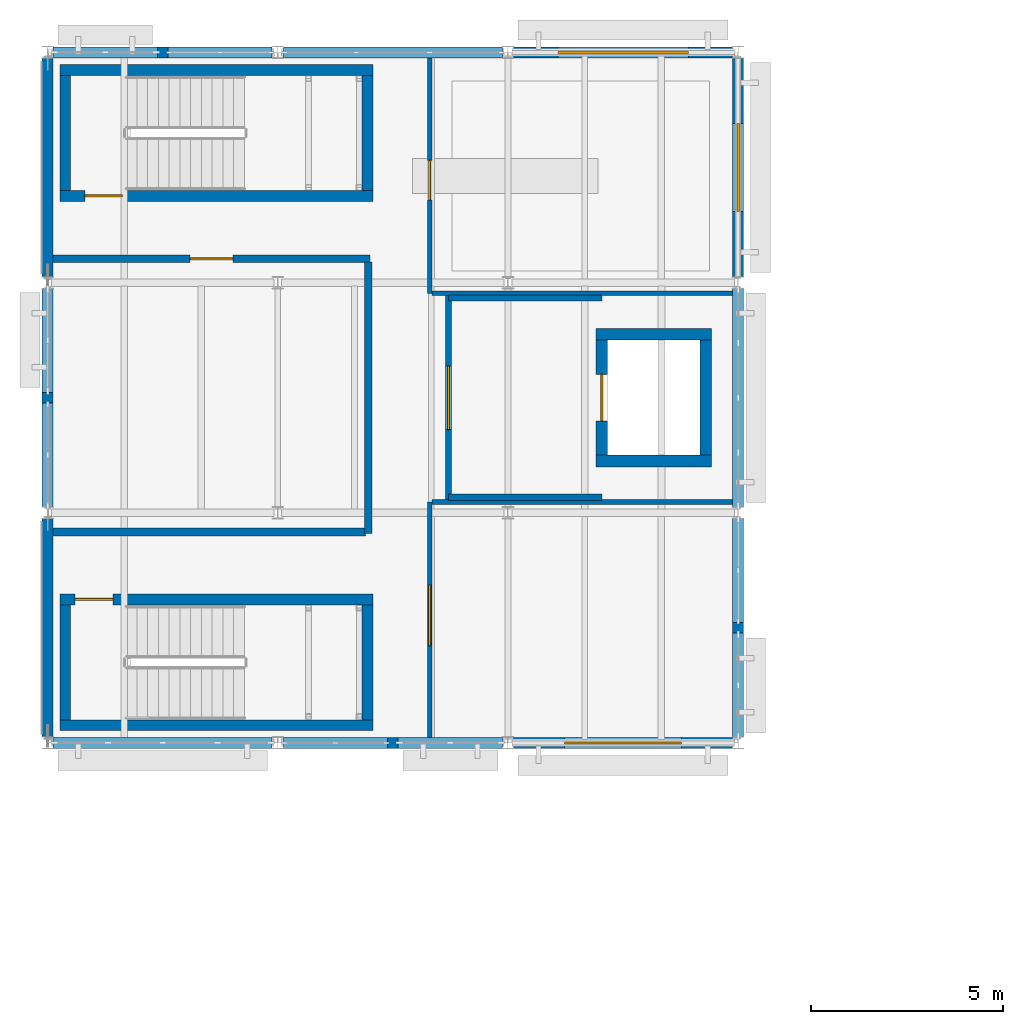
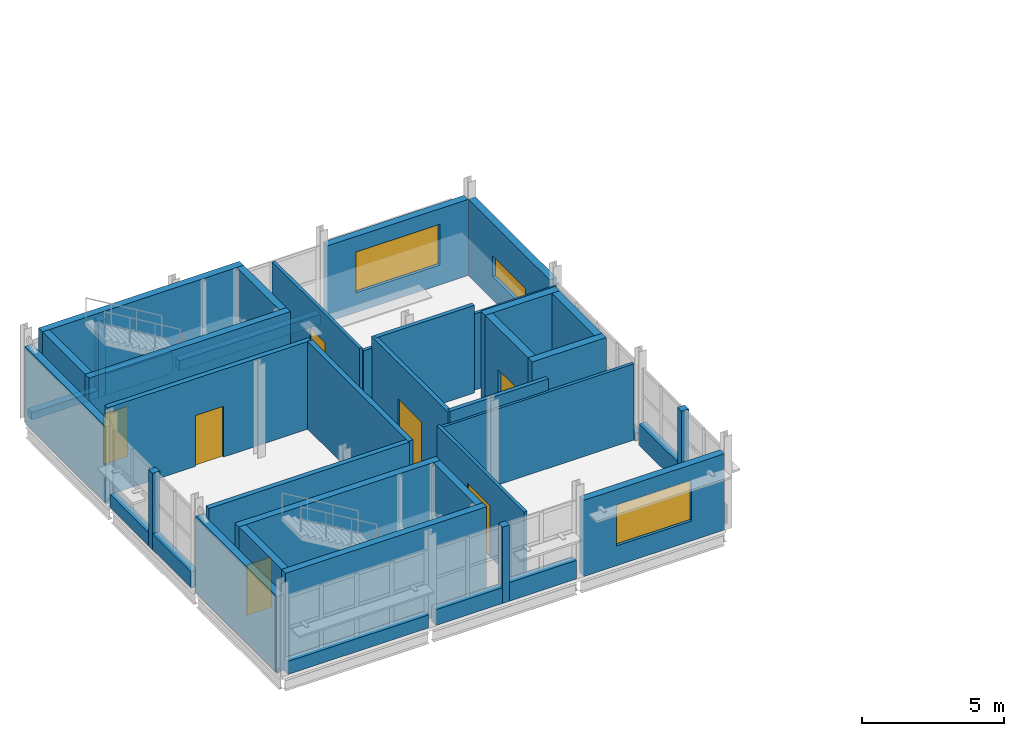
# One storey, part 17 of 23: 42 walls, 7 doors, 3 windows, 10 openings.
"""IFC4 building model written with IfcOpenShell, lengths in metres."""

from ifc_helpers import new_model, si_unit, direction, frame, frame_2d, origin, place, context, subcontext, project, spatial, rectangle, extrude, material, layer, layer_set, type_object, element, fill, save


model = new_model("IFC4")

# Units and contexts
model_context = context("Model", 3, precision=1e-05, world=origin(), true_north=direction((0.0, 1.0)))
body_context = subcontext(model_context, "Body", "Model", "MODEL_VIEW")
ifc_project = project(units=[si_unit("LENGTHUNIT", "METRE"), si_unit("AREAUNIT", "SQUARE_METRE"), si_unit("VOLUMEUNIT", "CUBIC_METRE"), si_unit("PLANEANGLEUNIT", "RADIAN"), si_unit("MASSUNIT", "GRAM", prefix="KILO")], contexts=[model_context])

# Site, building, storey
site_placement = place(None, origin())
site = spatial("IfcSite", under=ifc_project, at=site_placement, CompositionType="ELEMENT")
building_placement = place(site_placement, origin())
building = spatial("IfcBuilding", under=site, at=building_placement, Name="Siltcreek Boulevard Central Fire Station", CompositionType="ELEMENT")
storey_placement = place(building_placement, frame((0.0, 0.0, 14.0)))
storey = spatial("IfcBuildingStorey", under=building, at=storey_placement, Name="L04", CompositionType="ELEMENT", Elevation=14.0)

# Wall
ifc_material_1 = material(Name="Concrete C40/50", Category="concrete")
ifc_layer_1 = layer(ifc_material_1, 0.280029296875, Name="Concrete C40/50")
ifc_layer_set_1 = layer_set([ifc_layer_1], Name="Concrete C40/50")
wall_type_1 = type_object("IfcWallType", Name="CW_SHEAR280", PredefinedType="SHEAR", material=ifc_layer_set_1)
wall_1_placement = place(storey_placement, frame((42.320068359375, 94.659912109375, 0.0), z_axis=(0.0, 0.0, 1.0), x_axis=(1.0, 0.0, 0.0)))
element("IfcWall", 1, at=wall_1_placement, inside=storey, type_object=wall_type_1, Name="L04 ST-V3A stair enclosure south shear wall", PredefinedType="SHEAR", context=body_context, shape_type="SweptSolid", body=[
    extrude(rectangle(XDim=8.159912109375, YDim=0.280029296875, at=frame_2d((4.080078125, 0.0))), origin(), (0.0, 0.0, 1.0), 4.0),
])

# Wall, opening, door
wall_2_placement = place(storey_placement, frame((50.47998046875, 97.93994140625, 0.0), z_axis=(0.0, 0.0, 1.0), x_axis=(-1.0, 0.0, 0.0)))
wall_2 = element("IfcWall", 2, at=wall_2_placement, inside=storey, type_object=wall_type_1, Name="L04 ST-V3A stair enclosure north shear wall", PredefinedType="SHEAR", context=body_context, shape_type="SweptSolid", body=[
    extrude(rectangle(XDim=8.159912109375, YDim=0.280029296875, at=frame_2d((4.080078125, 0.0))), origin(), (0.0, 0.0, 1.0), 4.0),
])
opening_1_placement = place(wall_2_placement, frame((6.780029296875, 0.0, 0.0)))
opening_1 = element("IfcOpeningElement", 3, at=opening_1_placement, cuts=wall_2, Name="Opening SD-023", PredefinedType="OPENING", context=body_context, shape_type="SweptSolid", body=[
    extrude(rectangle(XDim=0.97998046875, YDim=2.14990234375, at=frame_2d((0.489990234375, 1.074951171875))), frame((0.0, 0.14990234375, 0.0), z_axis=(0.0, -1.0, 0.0), x_axis=(1.0, 0.0, 0.0)), (0.0, 0.0, 1.0), 0.300048828125),
])
ifc_material_2 = material(Name="Hollow metal 90-min enclosed stair door")
door_type_1 = type_object("IfcDoorType", Name="DR_ST_098X215", OperationType="NOTDEFINED", PredefinedType="DOOR", material=ifc_material_2)
door_1_placement = place(opening_1_placement, origin())
door_1 = element("IfcDoor", 4, at=door_1_placement, inside=storey, type_object=door_type_1, Name="L04 ST-V3A enclosed exit stair door SD-023", OperationType="SINGLE_SWING_RIGHT", OverallHeight=2.14990234375, OverallWidth=0.97998046875, PredefinedType="DOOR", context=body_context, shape_type="SweptSolid", body=[
    extrude(rectangle(XDim=0.97998046875, YDim=2.14990234375, at=frame_2d((0.489990234375, 1.074951171875))), frame((0.0, 0.02490234375, 0.0), z_axis=(0.0, -1.0, 0.0), x_axis=(1.0, 0.0, 0.0)), (0.0, 0.0, 1.0), 0.050048828125),
])
fill(opening_1, door_1)

# Walls
for number, where, z_axis, x_axis, name in (
    (5, (42.4599609375, 97.800048828125, 0.0), (0.0, 0.0, 1.0), (0.0, -1.0, 0.0), "L04 ST-V3A stair enclosure west shear wall"),
    (6, (50.340087890625, 94.800048828125, 0.0), (0.0, 0.0, 1.0), (0.0, 1.0, 0.0), "L04 ST-V3A stair enclosure east shear wall"),
):
    element("IfcWall", number, at=place(storey_placement, frame(where, z_axis=z_axis, x_axis=x_axis)), inside=storey, type_object=wall_type_1, Name=name, PredefinedType="SHEAR", context=body_context, shape_type="SweptSolid", body=[
        extrude(rectangle(XDim=3.0, YDim=0.280029296875, at=frame_2d((1.5, 0.0))), origin(), (0.0, 0.0, 1.0), 4.0),
    ])

# Wall, opening, door
wall_3_placement = place(storey_placement, frame((42.320068359375, 108.4599609375, 0.0), z_axis=(0.0, 0.0, 1.0), x_axis=(1.0, 0.0, 0.0)))
wall_3 = element("IfcWall", 7, at=wall_3_placement, inside=storey, type_object=wall_type_1, Name="L04 ST-V3B stair enclosure south shear wall", PredefinedType="SHEAR", context=body_context, shape_type="SweptSolid", body=[
    extrude(rectangle(XDim=8.159912109375, YDim=0.280029296875, at=frame_2d((4.080078125, 0.0))), origin(), (0.0, 0.0, 1.0), 4.0),
])
opening_2_placement = place(wall_3_placement, frame((0.64990234375, 0.0, 0.0)))
opening_2 = element("IfcOpeningElement", 8, at=opening_2_placement, cuts=wall_3, Name="Opening SD-029", PredefinedType="OPENING", context=body_context, shape_type="SweptSolid", body=[
    extrude(rectangle(XDim=0.97998046875, YDim=2.14990234375, at=frame_2d((0.489990234375, 1.074951171875))), frame((0.0, 0.14990234375, 0.0), z_axis=(0.0, -1.0, 0.0), x_axis=(1.0, 0.0, 0.0)), (0.0, 0.0, 1.0), 0.300048828125),
])
door_2_placement = place(opening_2_placement, origin())
door_2 = element("IfcDoor", 9, at=door_2_placement, inside=storey, type_object=door_type_1, Name="L04 ST-V3B enclosed exit stair door SD-029", OperationType="SINGLE_SWING_RIGHT", OverallHeight=2.14990234375, OverallWidth=0.97998046875, PredefinedType="DOOR", context=body_context, shape_type="SweptSolid", body=[
    extrude(rectangle(XDim=0.97998046875, YDim=2.14990234375, at=frame_2d((0.489990234375, 1.074951171875))), frame((0.0, 0.02490234375, 0.0), z_axis=(0.0, -1.0, 0.0), x_axis=(1.0, 0.0, 0.0)), (0.0, 0.0, 1.0), 0.050048828125),
])
fill(opening_2, door_2)

# Walls
wall_4_placement = place(storey_placement, frame((50.47998046875, 111.739990234375, 0.0), z_axis=(0.0, 0.0, 1.0), x_axis=(-1.0, 0.0, 0.0)))
element("IfcWall", 10, at=wall_4_placement, inside=storey, type_object=wall_type_1, Name="L04 ST-V3B stair enclosure north shear wall", PredefinedType="SHEAR", context=body_context, shape_type="SweptSolid", body=[
    extrude(rectangle(XDim=8.159912109375, YDim=0.280029296875, at=frame_2d((4.080078125, 0.0))), origin(), (0.0, 0.0, 1.0), 4.0),
])
for number, where, z_axis, x_axis, name in (
    (11, (42.4599609375, 111.60009765625, 0.0), (0.0, 0.0, 1.0), (0.0, -1.0, 0.0), "L04 ST-V3B stair enclosure west shear wall"),
    (12, (50.340087890625, 108.60009765625, 0.0), (0.0, 0.0, 1.0), (0.0, 1.0, 0.0), "L04 ST-V3B stair enclosure east shear wall"),
):
    element("IfcWall", number, at=place(storey_placement, frame(where, z_axis=z_axis, x_axis=x_axis)), inside=storey, type_object=wall_type_1, Name=name, PredefinedType="SHEAR", context=body_context, shape_type="SweptSolid", body=[
        extrude(rectangle(XDim=3.0, YDim=0.280029296875, at=frame_2d((1.5, 0.0))), origin(), (0.0, 0.0, 1.0), 4.0),
    ])
ifc_layer_2 = layer(ifc_material_1, 0.304931640625, Name="Concrete C40/50")
ifc_layer_set_2 = layer_set([ifc_layer_2], Name="Concrete C40/50")
wall_type_2 = type_object("IfcWallType", Name="CW_SHEAR305", PredefinedType="SHEAR", material=ifc_layer_set_2)
for number, where, z_axis, x_axis, name in (
    (13, (56.294921875, 101.547607421875, 0.0), (0.0, 0.0, 1.0), (1.0, 0.0, 0.0), "L04 EL-04 elevator shaft south shear wall"),
    (14, (59.304931640625, 104.8525390625, 0.0), (0.0, 0.0, 1.0), (-1.0, 0.0, 0.0), "L04 EL-04 elevator shaft north shear wall"),
):
    element("IfcWall", number, at=place(storey_placement, frame(where, z_axis=z_axis, x_axis=x_axis)), inside=storey, type_object=wall_type_2, Name=name, PredefinedType="SHEAR", context=body_context, shape_type="SweptSolid", body=[
        extrude(rectangle(XDim=3.010009765625, YDim=0.304931640625, at=frame_2d((1.5048828125, 0.0))), origin(), (0.0, 0.0, 1.0), 4.0),
    ])

# Wall, opening, door
wall_5_placement = place(storey_placement, frame((56.447509765625, 104.699951171875, 0.0), z_axis=(0.0, 0.0, 1.0), x_axis=(0.0, -1.0, 0.0)))
wall_5 = element("IfcWall", 15, at=wall_5_placement, inside=storey, type_object=wall_type_2, Name="L04 EL-04 elevator shaft west shear wall", PredefinedType="SHEAR", context=body_context, shape_type="SweptSolid", body=[
    extrude(rectangle(XDim=3.0, YDim=0.304931640625, at=frame_2d((1.5, 0.0))), origin(), (0.0, 0.0, 1.0), 4.0),
])
opening_3_placement = place(wall_5_placement, frame((0.889892578125, 0.0, 0.0)))
opening_3 = element("IfcOpeningElement", 16, at=opening_3_placement, cuts=wall_5, Name="Opening LD02", PredefinedType="OPENING", context=body_context, shape_type="SweptSolid", body=[
    extrude(rectangle(XDim=1.219970703125, YDim=2.219970703125, at=frame_2d((0.60986328125, 1.10986328125))), frame((0.0, 0.162353515625, 0.0), z_axis=(0.0, -1.0, 0.0), x_axis=(1.0, 0.0, 0.0)), (0.0, 0.0, 1.0), 0.324951171875),
])
ifc_material_3 = material(Name="Stainless steel firefighting sliding elevator landing door", Category="steel")
door_type_2 = type_object("IfcDoorType", Name="DR_LD_122X222", OperationType="NOTDEFINED", PredefinedType="DOOR", material=ifc_material_3)
door_3_placement = place(opening_3_placement, origin())
door_3 = element("IfcDoor", 17, at=door_3_placement, inside=storey, type_object=door_type_2, Name="L04 EL-04 elevator sliding landing door LD-19", OperationType="SLIDING_TO_LEFT", OverallHeight=2.219970703125, OverallWidth=1.219970703125, PredefinedType="DOOR", context=body_context, shape_type="SweptSolid", body=[
    extrude(rectangle(XDim=1.219970703125, YDim=2.219970703125, at=frame_2d((0.60986328125, 1.10986328125))), frame((0.0, 0.02490234375, 0.0), z_axis=(0.0, -1.0, 0.0), x_axis=(1.0, 0.0, 0.0)), (0.0, 0.0, 1.0), 0.050048828125),
])
fill(opening_3, door_3)

# Walls
wall_6_placement = place(storey_placement, frame((59.152587890625, 101.699951171875, 0.0), z_axis=(0.0, 0.0, 1.0), x_axis=(0.0, 1.0, 0.0)))
element("IfcWall", 18, at=wall_6_placement, inside=storey, type_object=wall_type_2, Name="L04 EL-04 elevator shaft east shear wall", PredefinedType="SHEAR", context=body_context, shape_type="SweptSolid", body=[
    extrude(rectangle(XDim=3.0, YDim=0.304931640625, at=frame_2d((1.5, 0.0))), origin(), (0.0, 0.0, 1.0), 4.0),
])
ifc_material_4 = material(Name="White ribbed aluminum spandrel wall", Category="aluminium")
ifc_layer_3 = layer(ifc_material_4, 0.2900390625, Name="White ribbed aluminum spandrel wall")
ifc_layer_set_3 = layer_set([ifc_layer_3], Name="White ribbed aluminum spandrel wall")
wall_type_3 = type_object("IfcWallType", Name="EW_METAL290", PredefinedType="STANDARD", material=ifc_layer_set_3)
wall_7_placement = place(storey_placement, frame((42.14501953125, 94.199951171875, 0.0), z_axis=(0.0, 0.0, 1.0), x_axis=(1.0, 0.0, 0.0)))
element("IfcWall", 19, at=wall_7_placement, inside=storey, type_object=wall_type_3, Name="L04 V3 curtain-wall sill spandrel 0163", PredefinedType="STANDARD", context=body_context, shape_type="SweptSolid", body=[
    extrude(rectangle(XDim=5.7099609375, YDim=0.2900390625, at=frame_2d((2.85498046875, 0.0))), origin(), (0.0, 0.0, 1.0), 0.56005859375),
])
wall_8_placement = place(storey_placement, frame((50.860107421875, 94.199951171875, 0.0), z_axis=(0.0, 0.0, 1.0), x_axis=(1.0, 0.0, 0.0)))
element("IfcWall", 20, at=wall_8_placement, inside=storey, type_object=wall_type_3, Name="L04 V3 facade pier 0164", PredefinedType="STANDARD", context=body_context, shape_type="SweptSolid", body=[
    extrude(rectangle(XDim=0.27978515625, YDim=0.2900390625, at=frame_2d((0.139892578125, 0.0))), origin(), (0.0, 0.0, 1.0), 3.26904296875),
])
wall_9_placement = place(storey_placement, frame((48.14501953125, 94.199951171875, 0.0), z_axis=(0.0, 0.0, 1.0), x_axis=(1.0, 0.0, 0.0)))
element("IfcWall", 21, at=wall_9_placement, inside=storey, type_object=wall_type_3, Name="L04 V3 curtain-wall sill spandrel 0165", PredefinedType="STANDARD", context=body_context, shape_type="SweptSolid", body=[
    extrude(rectangle(XDim=2.715087890625, YDim=0.2900390625, at=frame_2d((1.357421875, 0.0))), origin(), (0.0, 0.0, 1.0), 0.679931640625),
])
wall_10_placement = place(storey_placement, frame((51.139892578125, 94.199951171875, 0.0), z_axis=(0.0, 0.0, 1.0), x_axis=(1.0, 0.0, 0.0)))
element("IfcWall", 22, at=wall_10_placement, inside=storey, type_object=wall_type_3, Name="L04 V3 curtain-wall sill spandrel 0166", PredefinedType="STANDARD", context=body_context, shape_type="SweptSolid", body=[
    extrude(rectangle(XDim=2.715087890625, YDim=0.2900390625, at=frame_2d((1.357421875, 0.0))), origin(), (0.0, 0.0, 1.0), 0.800048828125),
])

# Wall, opening, window
wall_11_placement = place(storey_placement, frame((54.14501953125, 94.199951171875, 0.0), z_axis=(0.0, 0.0, 1.0), x_axis=(1.0, 0.0, 0.0)))
wall_11 = element("IfcWall", 23, at=wall_11_placement, inside=storey, type_object=wall_type_3, Name="L04 V3 exterior insulated rainscreen wall WL-EXT-L04-0167", PredefinedType="STANDARD", context=body_context, shape_type="SweptSolid", body=[
    extrude(rectangle(XDim=5.7099609375, YDim=0.2900390625, at=frame_2d((2.85498046875, 0.0))), origin(), (0.0, 0.0, 1.0), 3.26904296875),
])
opening_4_placement = place(wall_11_placement, frame((1.330078125, 0.0, 0.85009765625)))
opening_4 = element("IfcOpeningElement", 24, at=opening_4_placement, cuts=wall_11, Name="Opening WN24", PredefinedType="OPENING", context=body_context, shape_type="SweptSolid", body=[
    extrude(rectangle(XDim=3.050048828125, YDim=1.75, at=frame_2d((1.52490234375, 0.875))), frame((0.0, 0.155029296875, 0.0), z_axis=(0.0, -1.0, 0.0), x_axis=(1.0, 0.0, 0.0)), (0.0, 0.0, 1.0), 0.31005859375),
])
ifc_material_5 = material(Name="Thermally broken aluminum frame with low-E insulated glass", Category="aluminium")
window_type_1 = type_object("IfcWindowType", Name="WN_PB_305X175", PartitioningType="SINGLE_PANEL", PredefinedType="WINDOW", material=ifc_material_5)
window_1_placement = place(opening_4_placement, origin())
window_1 = element("IfcWindow", 25, at=window_1_placement, inside=storey, type_object=window_type_1, Name="L04 V3 exterior window WN-0091", OverallHeight=1.75, OverallWidth=3.050048828125, PartitioningType="SINGLE_PANEL", PredefinedType="WINDOW", context=body_context, shape_type="SweptSolid", body=[
    extrude(rectangle(XDim=3.050048828125, YDim=1.75, at=frame_2d((1.52490234375, 0.875))), frame((0.0, 0.030029296875, 0.0), z_axis=(0.0, -1.0, 0.0), x_axis=(1.0, 0.0, 0.0)), (0.0, 0.0, 1.0), 0.06005859375),
])
fill(opening_4, window_1)

# Walls
wall_12_placement = place(storey_placement, frame((45.139892578125, 112.199951171875, 0.0), z_axis=(0.0, 0.0, 1.0), x_axis=(-1.0, 0.0, 0.0)))
element("IfcWall", 26, at=wall_12_placement, inside=storey, type_object=wall_type_3, Name="L04 V3 facade pier 0168", PredefinedType="STANDARD", context=body_context, shape_type="SweptSolid", body=[
    extrude(rectangle(XDim=0.27978515625, YDim=0.2900390625, at=frame_2d((0.139892578125, 0.0))), origin(), (0.0, 0.0, 1.0), 3.26904296875),
])
wall_13_placement = place(storey_placement, frame((47.85498046875, 112.199951171875, 0.0), z_axis=(0.0, 0.0, 1.0), x_axis=(-1.0, 0.0, 0.0)))
element("IfcWall", 27, at=wall_13_placement, inside=storey, type_object=wall_type_3, Name="L04 V3 curtain-wall sill spandrel 0169", PredefinedType="STANDARD", context=body_context, shape_type="SweptSolid", body=[
    extrude(rectangle(XDim=2.715087890625, YDim=0.2900390625, at=frame_2d((1.357421875, 0.0))), origin(), (0.0, 0.0, 1.0), 0.919921875),
])
wall_14_placement = place(storey_placement, frame((44.860107421875, 112.199951171875, 0.0), z_axis=(0.0, 0.0, 1.0), x_axis=(-1.0, 0.0, 0.0)))
element("IfcWall", 28, at=wall_14_placement, inside=storey, type_object=wall_type_3, Name="L04 V3 curtain-wall sill spandrel 0170", PredefinedType="STANDARD", context=body_context, shape_type="SweptSolid", body=[
    extrude(rectangle(XDim=2.715087890625, YDim=0.2900390625, at=frame_2d((1.357421875, 0.0))), origin(), (0.0, 0.0, 1.0), 0.320068359375),
])
wall_15_placement = place(storey_placement, frame((53.85498046875, 112.199951171875, 0.0), z_axis=(0.0, 0.0, 1.0), x_axis=(-1.0, 0.0, 0.0)))
element("IfcWall", 29, at=wall_15_placement, inside=storey, type_object=wall_type_3, Name="L04 V3 curtain-wall sill spandrel 0171", PredefinedType="STANDARD", context=body_context, shape_type="SweptSolid", body=[
    extrude(rectangle(XDim=5.7099609375, YDim=0.2900390625, at=frame_2d((2.85498046875, 0.0))), origin(), (0.0, 0.0, 1.0), 0.43994140625),
])

# Wall, opening, window
wall_16_placement = place(storey_placement, frame((59.85498046875, 112.199951171875, 0.0), z_axis=(0.0, 0.0, 1.0), x_axis=(-1.0, 0.0, 0.0)))
wall_16 = element("IfcWall", 30, at=wall_16_placement, inside=storey, type_object=wall_type_3, Name="L04 V3 exterior insulated rainscreen wall WL-EXT-L04-0172", PredefinedType="STANDARD", context=body_context, shape_type="SweptSolid", body=[
    extrude(rectangle(XDim=5.7099609375, YDim=0.2900390625, at=frame_2d((2.85498046875, 0.0))), origin(), (0.0, 0.0, 1.0), 3.26904296875),
])
opening_5_placement = place(wall_16_placement, frame((1.155029296875, 0.0, 0.85009765625)))
opening_5 = element("IfcOpeningElement", 31, at=opening_5_placement, cuts=wall_16, Name="Opening WN25", PredefinedType="OPENING", context=body_context, shape_type="SweptSolid", body=[
    extrude(rectangle(XDim=3.39990234375, YDim=1.75, at=frame_2d((1.699951171875, 0.875))), frame((0.0, 0.155029296875, 0.0), z_axis=(0.0, -1.0, 0.0), x_axis=(1.0, 0.0, 0.0)), (0.0, 0.0, 1.0), 0.31005859375),
])
window_type_2 = type_object("IfcWindowType", Name="WN_PB_340X175", PartitioningType="SINGLE_PANEL", PredefinedType="WINDOW", material=ifc_material_5)
window_2_placement = place(opening_5_placement, origin())
window_2 = element("IfcWindow", 32, at=window_2_placement, inside=storey, type_object=window_type_2, Name="L04 V3 exterior window WN-0092", OverallHeight=1.75, OverallWidth=3.39990234375, PartitioningType="SINGLE_PANEL", PredefinedType="WINDOW", context=body_context, shape_type="SweptSolid", body=[
    extrude(rectangle(XDim=3.39990234375, YDim=1.75, at=frame_2d((1.699951171875, 0.875))), frame((0.0, 0.030029296875, 0.0), z_axis=(0.0, -1.0, 0.0), x_axis=(1.0, 0.0, 0.0)), (0.0, 0.0, 1.0), 0.06005859375),
])
fill(opening_5, window_2)

# Walls
wall_17_placement = place(storey_placement, frame((42.0, 100.054931640625, 0.0), z_axis=(0.0, 0.0, 1.0), x_axis=(0.0, -1.0, 0.0)))
element("IfcWall", 33, at=wall_17_placement, inside=storey, type_object=wall_type_3, Name="L04 V3 exterior insulated rainscreen wall WL-EXT-L04-0173", PredefinedType="STANDARD", context=body_context, shape_type="SweptSolid", body=[
    extrude(rectangle(XDim=5.7099609375, YDim=0.2900390625, at=frame_2d((2.85498046875, 0.0))), origin(), (0.0, 0.0, 1.0), 3.27294921875),
])
wall_18_placement = place(storey_placement, frame((42.0, 103.340087890625, 0.0), z_axis=(0.0, 0.0, 1.0), x_axis=(0.0, -1.0, 0.0)))
element("IfcWall", 34, at=wall_18_placement, inside=storey, type_object=wall_type_3, Name="L04 V3 facade pier 0174", PredefinedType="STANDARD", context=body_context, shape_type="SweptSolid", body=[
    extrude(rectangle(XDim=0.280029296875, YDim=0.2900390625, at=frame_2d((0.14013671875, 0.0))), origin(), (0.0, 0.0, 1.0), 3.27294921875),
])
wall_19_placement = place(storey_placement, frame((42.0, 106.054931640625, 0.0), z_axis=(0.0, 0.0, 1.0), x_axis=(0.0, -1.0, 0.0)))
element("IfcWall", 35, at=wall_19_placement, inside=storey, type_object=wall_type_3, Name="L04 V3 curtain-wall sill spandrel 0175", PredefinedType="STANDARD", context=body_context, shape_type="SweptSolid", body=[
    extrude(rectangle(XDim=2.71484375, YDim=0.2900390625, at=frame_2d((1.357421875, 0.0))), origin(), (0.0, 0.0, 1.0), 0.56005859375),
])
wall_20_placement = place(storey_placement, frame((42.0, 103.06005859375, 0.0), z_axis=(0.0, 0.0, 1.0), x_axis=(0.0, -1.0, 0.0)))
element("IfcWall", 36, at=wall_20_placement, inside=storey, type_object=wall_type_3, Name="L04 V3 curtain-wall sill spandrel 0176", PredefinedType="STANDARD", context=body_context, shape_type="SweptSolid", body=[
    extrude(rectangle(XDim=2.715087890625, YDim=0.2900390625, at=frame_2d((1.357421875, 0.0))), origin(), (0.0, 0.0, 1.0), 0.679931640625),
])
wall_21_placement = place(storey_placement, frame((42.0, 112.054931640625, 0.0), z_axis=(0.0, 0.0, 1.0), x_axis=(0.0, -1.0, 0.0)))
element("IfcWall", 37, at=wall_21_placement, inside=storey, type_object=wall_type_3, Name="L04 V3 exterior insulated rainscreen wall WL-EXT-L04-0177", PredefinedType="STANDARD", context=body_context, shape_type="SweptSolid", body=[
    extrude(rectangle(XDim=5.7099609375, YDim=0.2900390625, at=frame_2d((2.85498046875, 0.0))), origin(), (0.0, 0.0, 1.0), 3.27294921875),
])
wall_22_placement = place(storey_placement, frame((60.0, 97.06005859375, 0.0), z_axis=(0.0, 0.0, 1.0), x_axis=(0.0, 1.0, 0.0)))
element("IfcWall", 38, at=wall_22_placement, inside=storey, type_object=wall_type_3, Name="L04 V3 facade pier 0178", PredefinedType="STANDARD", context=body_context, shape_type="SweptSolid", body=[
    extrude(rectangle(XDim=0.280029296875, YDim=0.2900390625, at=frame_2d((0.14013671875, 0.0))), origin(), (0.0, 0.0, 1.0), 3.27294921875),
])
wall_23_placement = place(storey_placement, frame((60.0, 94.344970703125, 0.0), z_axis=(0.0, 0.0, 1.0), x_axis=(0.0, 1.0, 0.0)))
element("IfcWall", 39, at=wall_23_placement, inside=storey, type_object=wall_type_3, Name="L04 V3 curtain-wall sill spandrel 0179", PredefinedType="STANDARD", context=body_context, shape_type="SweptSolid", body=[
    extrude(rectangle(XDim=2.715087890625, YDim=0.2900390625, at=frame_2d((1.357421875, 0.0))), origin(), (0.0, 0.0, 1.0), 0.800048828125),
])
wall_24_placement = place(storey_placement, frame((60.0, 97.340087890625, 0.0), z_axis=(0.0, 0.0, 1.0), x_axis=(0.0, 1.0, 0.0)))
element("IfcWall", 40, at=wall_24_placement, inside=storey, type_object=wall_type_3, Name="L04 V3 curtain-wall sill spandrel 0180", PredefinedType="STANDARD", context=body_context, shape_type="SweptSolid", body=[
    extrude(rectangle(XDim=2.71484375, YDim=0.2900390625, at=frame_2d((1.357421875, 0.0))), origin(), (0.0, 0.0, 1.0), 0.919921875),
])
wall_25_placement = place(storey_placement, frame((60.0, 100.344970703125, 0.0), z_axis=(0.0, 0.0, 1.0), x_axis=(0.0, 1.0, 0.0)))
element("IfcWall", 41, at=wall_25_placement, inside=storey, type_object=wall_type_3, Name="L04 V3 curtain-wall sill spandrel 0181", PredefinedType="STANDARD", context=body_context, shape_type="SweptSolid", body=[
    extrude(rectangle(XDim=5.7099609375, YDim=0.2900390625, at=frame_2d((2.85498046875, 0.0))), origin(), (0.0, 0.0, 1.0), 0.320068359375),
])

# Wall, opening, window
wall_26_placement = place(storey_placement, frame((60.0, 106.344970703125, 0.0), z_axis=(0.0, 0.0, 1.0), x_axis=(0.0, 1.0, 0.0)))
wall_26 = element("IfcWall", 42, at=wall_26_placement, inside=storey, type_object=wall_type_3, Name="L04 V3 exterior insulated rainscreen wall WL-EXT-L04-0182", PredefinedType="STANDARD", context=body_context, shape_type="SweptSolid", body=[
    extrude(rectangle(XDim=5.7099609375, YDim=0.2900390625, at=frame_2d((2.85498046875, 0.0))), origin(), (0.0, 0.0, 1.0), 3.27294921875),
])
opening_6_placement = place(wall_26_placement, frame((1.705078125, 0.0, 1.0)))
opening_6 = element("IfcOpeningElement", 43, at=opening_6_placement, cuts=wall_26, Name="Opening WN26", PredefinedType="OPENING", context=body_context, shape_type="SweptSolid", body=[
    extrude(rectangle(XDim=2.300048828125, YDim=0.8798828125, at=frame_2d((1.14990234375, 0.43994140625))), frame((0.0, 0.155029296875, 0.0), z_axis=(0.0, -1.0, 0.0), x_axis=(1.0, 0.0, 0.0)), (0.0, 0.0, 1.0), 0.31005859375),
])
window_type_3 = type_object("IfcWindowType", Name="WN_CL_230X088", PartitioningType="SINGLE_PANEL", PredefinedType="WINDOW", material=ifc_material_5)
window_3_placement = place(opening_6_placement, origin())
window_3 = element("IfcWindow", 44, at=window_3_placement, inside=storey, type_object=window_type_3, Name="L04 V3 exterior window WN-0093", OverallHeight=0.8798828125, OverallWidth=2.300048828125, PartitioningType="SINGLE_PANEL", PredefinedType="WINDOW", context=body_context, shape_type="SweptSolid", body=[
    extrude(rectangle(XDim=2.300048828125, YDim=0.8798828125, at=frame_2d((1.14990234375, 0.43994140625))), frame((0.0, 0.030029296875, 0.0), z_axis=(0.0, -1.0, 0.0), x_axis=(1.0, 0.0, 0.0)), (0.0, 0.0, 1.0), 0.06005859375),
])
fill(opening_6, window_3)

# Wall, opening, door
ifc_material_6 = material(Name="Fire-rated concrete masonry and gypsum barrier", Category="masonry")
ifc_layer_4 = layer(ifc_material_6, 0.199951171875, Name="Fire-rated concrete masonry and gypsum barrier")
ifc_layer_set_4 = layer_set([ifc_layer_4], Name="Fire-rated concrete masonry and gypsum barrier")
wall_type_4 = type_object("IfcWallType", Name="IW_FIRE200", PredefinedType="PARTITIONING", material=ifc_layer_set_4)
wall_27_placement = place(storey_placement, frame((42.14501953125, 106.820068359375, 0.0), z_axis=(0.0, 0.0, 1.0), x_axis=(1.0, 0.0, 0.0)))
wall_27 = element("IfcWall", 45, at=wall_27_placement, inside=storey, type_object=wall_type_4, Name="L04 Smoke Maze Training Room partition 0327", PredefinedType="PARTITIONING", context=body_context, shape_type="SweptSolid", body=[
    extrude(rectangle(XDim=8.2548828125, YDim=0.199951171875, at=frame_2d((4.12744140625, 0.0))), origin(), (0.0, 0.0, 1.0), 3.760009765625),
])
opening_7_placement = place(wall_27_placement, frame((3.5625, 0.0, 0.0)))
opening_7 = element("IfcOpeningElement", 46, at=opening_7_placement, cuts=wall_27, Name="Opening ID07", PredefinedType="OPENING", context=body_context, shape_type="SweptSolid", body=[
    extrude(rectangle(XDim=1.1298828125, YDim=2.179931640625, at=frame_2d((0.56494140625, 1.08984375))), frame((0.0, 0.10986328125, 0.0), z_axis=(0.0, -1.0, 0.0), x_axis=(1.0, 0.0, 0.0)), (0.0, 0.0, 1.0), 0.219970703125),
])
ifc_material_7 = material(Name="Galvanized steel drill training prop door", Category="steel")
door_type_3 = type_object("IfcDoorType", Name="DR_DRL_113X218", OperationType="NOTDEFINED", PredefinedType="DOOR", material=ifc_material_7)
door_4_placement = place(opening_7_placement, frame((1.1298828125, 0.0, 0.0), z_axis=(0.0, 0.0, 1.0), x_axis=(-1.0, 0.0, 0.0)))
door_4 = element("IfcDoor", 47, at=door_4_placement, inside=storey, type_object=door_type_3, Name="L04 Smoke Maze Training Room door ID-0144", OperationType="SINGLE_SWING_LEFT", OverallHeight=2.179931640625, OverallWidth=1.1298828125, PredefinedType="DOOR", context=body_context, shape_type="SweptSolid", body=[
    extrude(rectangle(XDim=1.1298828125, YDim=2.179931640625, at=frame_2d((0.56494140625, 1.08984375))), frame((0.0, 0.02490234375, 0.0), z_axis=(0.0, -1.0, 0.0), x_axis=(1.0, 0.0, 0.0)), (0.0, 0.0, 1.0), 0.050048828125),
])
fill(opening_7, door_4)

# Walls
wall_28_placement = place(storey_placement, frame((50.360107421875, 106.739990234375, 0.0), z_axis=(0.0, 0.0, 1.0), x_axis=(0.0, -1.0, 0.0)))
element("IfcWall", 48, at=wall_28_placement, inside=storey, type_object=wall_type_4, Name="L04 Smoke Maze Training Room partition 0328", PredefinedType="PARTITIONING", context=body_context, shape_type="SweptSolid", body=[
    extrude(rectangle(XDim=7.080078125, YDim=0.199951171875, at=frame_2d((3.5400390625, 0.0))), origin(), (0.0, 0.0, 1.0), 3.760009765625),
])
wall_29_placement = place(storey_placement, frame((50.280029296875, 99.699951171875, 0.0), z_axis=(0.0, 0.0, 1.0), x_axis=(-1.0, 0.0, 0.0)))
element("IfcWall", 49, at=wall_29_placement, inside=storey, type_object=wall_type_4, Name="L04 Smoke Maze Training Room partition 0329", PredefinedType="PARTITIONING", context=body_context, shape_type="SweptSolid", body=[
    extrude(rectangle(XDim=8.135009765625, YDim=0.199951171875, at=frame_2d((4.0673828125, 0.0))), origin(), (0.0, 0.0, 1.0), 3.760009765625),
])

# Wall, opening, door
ifc_material_8 = material(Name="Interior steel stud gypsum partition", Category="steel")
ifc_layer_5 = layer(ifc_material_8, 0.125, Name="Interior steel stud gypsum partition")
ifc_layer_set_5 = layer_set([ifc_layer_5], Name="Interior steel stud gypsum partition")
wall_type_5 = type_object("IfcWallType", Name="IW_PART125", PredefinedType="PARTITIONING", material=ifc_layer_set_5)
wall_30_placement = place(storey_placement, frame((51.9599609375, 94.344970703125, 0.0), z_axis=(0.0, 0.0, 1.0), x_axis=(0.0, 1.0, 0.0)))
wall_30 = element("IfcWall", 50, at=wall_30_placement, inside=storey, type_object=wall_type_5, Name="L04 Breathing Apparatus Confidence Room partition 0330", PredefinedType="PARTITIONING", context=body_context, shape_type="SweptSolid", body=[
    extrude(rectangle(XDim=6.137451171875, YDim=0.125, at=frame_2d((3.06884765625, 0.0))), origin(), (0.0, 0.0, 1.0), 3.3740234375),
])
opening_8_placement = place(wall_30_placement, frame((2.390380859375, 0.0, 0.0)))
opening_8 = element("IfcOpeningElement", 51, at=opening_8_placement, cuts=wall_30, Name="Opening AD02", PredefinedType="OPENING", context=body_context, shape_type="SweptSolid", body=[
    extrude(rectangle(XDim=1.580078125, YDim=2.199951171875, at=frame_2d((0.7900390625, 1.10009765625))), frame((0.0, 0.072509765625, 0.0), z_axis=(0.0, -1.0, 0.0), x_axis=(1.0, 0.0, 0.0)), (0.0, 0.0, 1.0), 0.14501953125),
])
ifc_material_9 = material(Name="Glazed acoustic assembly hall double door")
door_type_4 = type_object("IfcDoorType", Name="DR_HAL_158X220", OperationType="NOTDEFINED", PredefinedType="DOOR", material=ifc_material_9)
door_5_placement = place(opening_8_placement, frame((1.580078125, 0.0, 0.0), z_axis=(0.0, 0.0, 1.0), x_axis=(-1.0, 0.0, 0.0)))
door_5 = element("IfcDoor", 52, at=door_5_placement, inside=storey, type_object=door_type_4, Name="L04 Breathing Apparatus Confidence Room door ID-0145", OperationType="DOUBLE_DOOR_SINGLE_SWING", OverallHeight=2.199951171875, OverallWidth=1.580078125, PredefinedType="DOOR", context=body_context, shape_type="SweptSolid", body=[
    extrude(rectangle(XDim=1.580078125, YDim=2.199951171875, at=frame_2d((0.7900390625, 1.10009765625))), frame((0.0, 0.02490234375, 0.0), z_axis=(0.0, -1.0, 0.0), x_axis=(1.0, 0.0, 0.0)), (0.0, 0.0, 1.0), 0.050048828125),
])
fill(opening_8, door_5)

# Wall
wall_31_placement = place(storey_placement, frame((52.0224609375, 100.47998046875, 0.0), z_axis=(0.0, 0.0, 1.0), x_axis=(1.0, 0.0, 0.0)))
element("IfcWall", 53, at=wall_31_placement, inside=storey, type_object=wall_type_5, Name="L04 Breathing Apparatus Confidence Room partition 0331", PredefinedType="PARTITIONING", context=body_context, shape_type="SweptSolid", body=[
    extrude(rectangle(XDim=7.83251953125, YDim=0.125, at=frame_2d((3.916259765625, 0.0))), origin(), (0.0, 0.0, 1.0), 3.26904296875),
])

# Wall, opening, door
wall_32_placement = place(storey_placement, frame((51.9599609375, 105.91748046875, 0.0), z_axis=(0.0, 0.0, 1.0), x_axis=(0.0, 1.0, 0.0)))
wall_32 = element("IfcWall", 54, at=wall_32_placement, inside=storey, type_object=wall_type_5, Name="L04 Thermal Imaging Classroom L04 partition 0332", PredefinedType="PARTITIONING", context=body_context, shape_type="SweptSolid", body=[
    extrude(rectangle(XDim=6.137451171875, YDim=0.125, at=frame_2d((3.06884765625, 0.0))), origin(), (0.0, 0.0, 1.0), 3.3740234375),
])
opening_9_placement = place(wall_32_placement, frame((2.439697265625, 0.0, 0.0)))
opening_9 = element("IfcOpeningElement", 55, at=opening_9_placement, cuts=wall_32, Name="Opening ID01", PredefinedType="OPENING", context=body_context, shape_type="SweptSolid", body=[
    extrude(rectangle(XDim=1.030029296875, YDim=2.14990234375, at=frame_2d((0.51513671875, 1.074951171875))), frame((0.0, 0.072509765625, 0.0), z_axis=(0.0, -1.0, 0.0), x_axis=(1.0, 0.0, 0.0)), (0.0, 0.0, 1.0), 0.14501953125),
])
ifc_material_10 = material(Name="Solid-core timber acoustic classroom door", Category="wood")
door_type_5 = type_object("IfcDoorType", Name="DR_CLS_103X215", OperationType="NOTDEFINED", PredefinedType="DOOR", material=ifc_material_10)
door_6_placement = place(opening_9_placement, frame((1.030029296875, 0.0, 0.0), z_axis=(0.0, 0.0, 1.0), x_axis=(-1.0, 0.0, 0.0)))
door_6 = element("IfcDoor", 56, at=door_6_placement, inside=storey, type_object=door_type_5, Name="L04 Thermal Imaging Classroom L04 door ID-0146", OperationType="SINGLE_SWING_LEFT", OverallHeight=2.14990234375, OverallWidth=1.030029296875, PredefinedType="DOOR", context=body_context, shape_type="SweptSolid", body=[
    extrude(rectangle(XDim=1.030029296875, YDim=2.14990234375, at=frame_2d((0.51513671875, 1.074951171875))), frame((0.0, 0.02490234375, 0.0), z_axis=(0.0, -1.0, 0.0), x_axis=(1.0, 0.0, 0.0)), (0.0, 0.0, 1.0), 0.050048828125),
])
fill(opening_9, door_6)

# Walls
wall_33_placement = place(storey_placement, frame((59.85498046875, 105.919921875, 0.0), z_axis=(0.0, 0.0, 1.0), x_axis=(-1.0, 0.0, 0.0)))
element("IfcWall", 57, at=wall_33_placement, inside=storey, type_object=wall_type_5, Name="L04 Thermal Imaging Classroom L04 partition 0333", PredefinedType="PARTITIONING", context=body_context, shape_type="SweptSolid", body=[
    extrude(rectangle(XDim=7.83251953125, YDim=0.125, at=frame_2d((3.916259765625, 0.0))), origin(), (0.0, 0.0, 1.0), 3.26904296875),
])
ifc_material_11 = material(Name="Acoustic smoke-barrier steel stud gypsum wall", Category="steel")
ifc_layer_6 = layer(ifc_material_11, 0.1650390625, Name="Acoustic smoke-barrier steel stud gypsum wall")
ifc_layer_set_6 = layer_set([ifc_layer_6], Name="Acoustic smoke-barrier steel stud gypsum wall")
wall_type_6 = type_object("IfcWallType", Name="IW_SMK165", PredefinedType="PARTITIONING", material=ifc_layer_set_6)
for number, where, z_axis, x_axis, name in (
    (58, (52.449951171875, 100.60009765625, 0.0), (0.0, 0.0, 1.0), (1.0, 0.0, 0.0), "L04 EL-04 elevator lobby S smoke partition"),
    (59, (56.447509765625, 105.800048828125, 0.0), (0.0, 0.0, 1.0), (-1.0, 0.0, 0.0), "L04 EL-04 elevator lobby N smoke partition"),
):
    element("IfcWall", number, at=place(storey_placement, frame(where, z_axis=z_axis, x_axis=x_axis)), inside=storey, type_object=wall_type_6, Name=name, PredefinedType="PARTITIONING", context=body_context, shape_type="SweptSolid", body=[
        extrude(rectangle(XDim=3.99755859375, YDim=0.1650390625, at=frame_2d((1.998779296875, 0.0))), origin(), (0.0, 0.0, 1.0), 3.760009765625),
    ])

# Wall, opening, door
wall_34_placement = place(storey_placement, frame((52.449951171875, 100.52001953125, 0.0), z_axis=(0.0, 0.0, 1.0), x_axis=(0.0, 1.0, 0.0)))
wall_34 = element("IfcWall", 60, at=wall_34_placement, inside=storey, type_object=wall_type_6, Name="L04 EL-04 elevator lobby west smoke partition", PredefinedType="PARTITIONING", context=body_context, shape_type="SweptSolid", body=[
    extrude(rectangle(XDim=5.35986328125, YDim=0.1650390625, at=frame_2d((2.679931640625, 0.0))), origin(), (0.0, 0.0, 1.0), 3.760009765625),
])
opening_10_placement = place(wall_34_placement, frame((1.85009765625, 0.0, 0.0)))
opening_10 = element("IfcOpeningElement", 61, at=opening_10_placement, cuts=wall_34, Name="Opening FD02", PredefinedType="OPENING", context=body_context, shape_type="SweptSolid", body=[
    extrude(rectangle(XDim=1.659912109375, YDim=2.199951171875, at=frame_2d((0.830078125, 1.10009765625))), frame((0.0, 0.092529296875, 0.0), z_axis=(0.0, -1.0, 0.0), x_axis=(1.0, 0.0, 0.0)), (0.0, 0.0, 1.0), 0.18505859375),
])
ifc_material_12 = material(Name="Hollow metal smoke-barrier elevator lobby pair")
door_type_6 = type_object("IfcDoorType", Name="DR_LOB_166X220", OperationType="NOTDEFINED", PredefinedType="DOOR", material=ifc_material_12)
door_7_placement = place(opening_10_placement, frame((1.659912109375, 0.0, 0.0), z_axis=(0.0, 0.0, 1.0), x_axis=(-1.0, 0.0, 0.0)))
door_7 = element("IfcDoor", 62, at=door_7_placement, inside=storey, type_object=door_type_6, Name="L04 EL-04 elevator lobby smoke door", OperationType="DOUBLE_DOOR_SINGLE_SWING", OverallHeight=2.199951171875, OverallWidth=1.659912109375, PredefinedType="DOOR", context=body_context, shape_type="SweptSolid", body=[
    extrude(rectangle(XDim=1.659912109375, YDim=2.199951171875, at=frame_2d((0.830078125, 1.10009765625))), frame((0.0, 0.02490234375, 0.0), z_axis=(0.0, -1.0, 0.0), x_axis=(1.0, 0.0, 0.0)), (0.0, 0.0, 1.0), 0.050048828125),
])
fill(opening_10, door_7)

save(model, "model.ifc")
